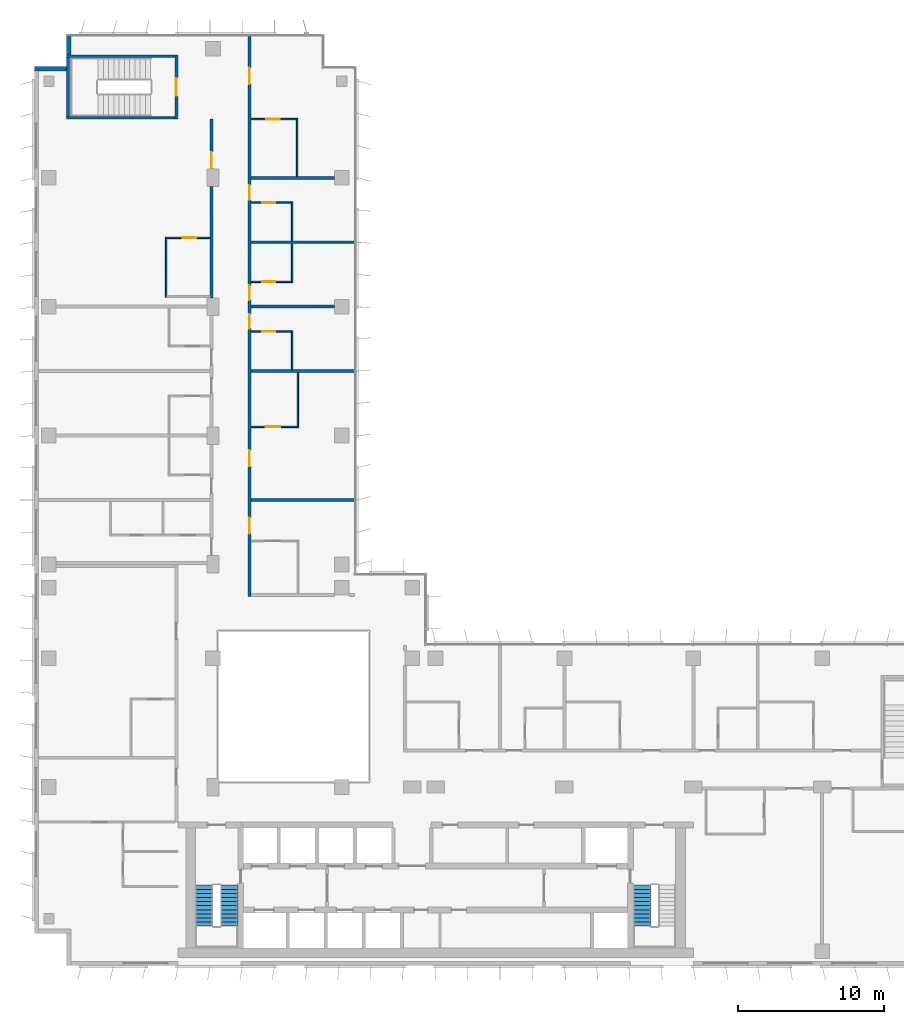
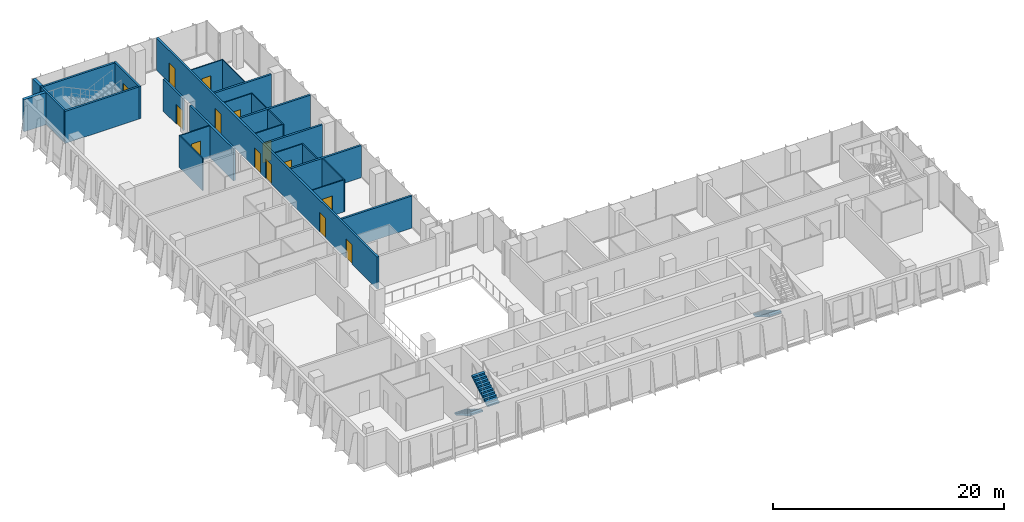
# One storey, part 17 of 21: 26 walls, 14 doors, 3 stair flights, 14 openings, 2 elements without a shape of their own.
"""IFC4 building model written with IfcOpenShell, lengths in metres."""

from ifc_helpers import new_model, si_unit, direction, frame, frame_2d, origin, place, context, subcontext, project, spatial, polyline, rectangle, outline, extrude, material, layer, layer_set, type_object, element, fill, aggregate, save


model = new_model("IFC4")

# Units and contexts
model_context = context("Model", 3, precision=1e-05, world=origin(), true_north=direction((0.0, 1.0)))
body_context = subcontext(model_context, "Body", "Model", "MODEL_VIEW")
ifc_project = project(units=[si_unit("LENGTHUNIT", "METRE"), si_unit("AREAUNIT", "SQUARE_METRE"), si_unit("VOLUMEUNIT", "CUBIC_METRE"), si_unit("PLANEANGLEUNIT", "RADIAN"), si_unit("MASSUNIT", "GRAM", prefix="KILO")], contexts=[model_context])

# Site, building, storey
site_placement = place(None, origin())
site = spatial("IfcSite", under=ifc_project, at=site_placement, CompositionType="ELEMENT")
building_placement = place(site_placement, origin())
building = spatial("IfcBuilding", under=site, at=building_placement, Name="Kemantara Hotel Tower", CompositionType="ELEMENT")
storey_placement = place(building_placement, frame((0.0, 0.0, 164.199951171875)))
storey = spatial("IfcBuildingStorey", under=building, at=storey_placement, Name="L40", CompositionType="ELEMENT", Elevation=164.199951171875)

# Walls
ifc_material_1 = material(Name="Bronze anodised aluminium cladding on insulated steel stud wall", Category="steel")
ifc_layer_1 = layer(ifc_material_1, 0.300048828125)
ifc_layer_set_1 = layer_set([ifc_layer_1], Name="Bronze anodised aluminium cladding on insulated steel stud wall")
wall_type_1 = type_object("IfcWallType", Name="BRONZE METAL-CLAD EXTERNAL WALL 300", PredefinedType="STANDARD", material=ifc_layer_set_1)
wall_1_placement = place(storey_placement, frame((2.35009765625, 63.449951171875, 0.0), z_axis=(0.0, 0.0, 1.0), x_axis=(0.0, -1.0, 0.0)))
element("IfcWall", 1, at=wall_1_placement, inside=storey, type_object=wall_type_1, Name="EXTERNAL WALL L40 T3-R03", PredefinedType="STANDARD", context=body_context, shape_type="SweptSolid", body=[
    extrude(rectangle(XDim=1.25, YDim=0.300048828125, at=frame_2d((0.625, 0.0))), origin(), (0.0, 0.0, 1.0), 3.400146484375),
])
wall_2_placement = place(storey_placement, frame((2.199951171875, 61.25, 0.0), z_axis=(0.0, 0.0, 1.0), x_axis=(-1.0, 0.0, 0.0)))
element("IfcWall", 2, at=wall_2_placement, inside=storey, type_object=wall_type_1, Name="EXTERNAL WALL L40 T3-R04", PredefinedType="STANDARD", context=body_context, shape_type="SweptSolid", body=[
    extrude(rectangle(XDim=2.199951171875, YDim=0.300048828125, at=frame_2d((1.10009765625, 0.0))), origin(), (0.0, 0.0, 1.0), 3.400146484375),
])
ifc_material_2 = material(Name="Gypsum board partition, steel studs and mineral wool, 200 mm", Category="steel")
ifc_layer_2 = layer(ifc_material_2, 0.199951171875)
ifc_layer_set_2 = layer_set([ifc_layer_2], Name="Gypsum board partition, steel studs and mineral wool, 200 mm")
wall_type_2 = type_object("IfcWallType", Name="CORRIDOR WALL 200", PredefinedType="PARTITIONING", material=ifc_layer_set_2)
wall_3_placement = place(storey_placement, frame((12.10009765625, 45.60009765625, 0.0), z_axis=(0.0, 0.0, 1.0), x_axis=(0.0, 1.0, 0.0)))
element("IfcWall", 3, at=wall_3_placement, inside=storey, type_object=wall_type_2, Name="CORRIDOR WALL 200 017", PredefinedType="PARTITIONING", context=body_context, shape_type="SweptSolid", body=[
    extrude(rectangle(XDim=7.599853515625, YDim=0.199951171875, at=frame_2d((3.7998046875, 0.0))), origin(), (0.0, 0.0, 1.0), 3.400146484375),
])

# Wall, opening, door
wall_4_placement = place(storey_placement, frame((12.10009765625, 54.400146484375, 0.0), z_axis=(0.0, 0.0, 1.0), x_axis=(0.0, 1.0, 0.0)))
wall_4 = element("IfcWall", 4, at=wall_4_placement, inside=storey, type_object=wall_type_2, Name="CORRIDOR WALL 200 018", PredefinedType="PARTITIONING", context=body_context, shape_type="SweptSolid", body=[
    extrude(rectangle(XDim=3.39990234375, YDim=0.199951171875, at=frame_2d((1.699951171875, 0.0))), origin(), (0.0, 0.0, 1.0), 3.400146484375),
])
opening_1_placement = place(wall_4_placement, frame((0.0498046875, 0.0, 0.0)))
opening_1 = element("IfcOpeningElement", 5, at=opening_1_placement, cuts=wall_4, Name="Opening F18-030", PredefinedType="OPENING", context=body_context, shape_type="SweptSolid", body=[
    extrude(rectangle(XDim=1.10009765625, YDim=2.10009765625, at=frame_2d((0.550048828125, 1.050048828125))), frame((0.0, 0.10986328125, 0.0), z_axis=(0.0, -1.0, 0.0), x_axis=(1.0, 0.0, 0.0)), (0.0, 0.0, 1.0), 0.219970703125),
])
ifc_material_3 = material(Name="Hardwood veneer door leaf with steel frame", Category="steel")
door_type_1 = type_object("IfcDoorType", Name="SUITE ENTRANCE DOOR 1100 X 2100 FD30S", OperationType="NOTDEFINED", PredefinedType="DOOR", material=ifc_material_3)
door_1_placement = place(opening_1_placement, origin())
door_1 = element("IfcDoor", 6, at=door_1_placement, inside=storey, type_object=door_type_1, Name="SUITE ENTRANCE DOOR F18-030", OperationType="SINGLE_SWING_RIGHT", OverallHeight=2.10009765625, OverallWidth=1.10009765625, PredefinedType="DOOR", context=body_context, shape_type="SweptSolid", body=[
    extrude(rectangle(XDim=1.10009765625, YDim=2.10009765625, at=frame_2d((0.550048828125, 1.050048828125))), frame((0.0, 0.02490234375, 0.0), z_axis=(0.0, -1.0, 0.0), x_axis=(1.0, 0.0, 0.0)), (0.0, 0.0, 1.0), 0.050048828125),
])
fill(opening_1, door_1)

# Wall, openings, doors
wall_5_placement = place(storey_placement, frame((14.699951171875, 63.47998046875, 0.0), z_axis=(0.0, 0.0, 1.0), x_axis=(0.0, -1.0, 0.0)))
wall_5 = element("IfcWall", 7, at=wall_5_placement, inside=storey, type_object=wall_type_2, Name="CORRIDOR WALL 200 027", PredefinedType="PARTITIONING", context=body_context, shape_type="SweptSolid", body=[
    extrude(rectangle(XDim=38.280029296875, YDim=0.199951171875, at=frame_2d((19.14013671875, 0.0))), origin(), (0.0, 0.0, 1.0), 3.400146484375),
])
opening_2_placement = place(wall_5_placement, frame((32.8798828125, 0.0, 0.0)))
opening_2 = element("IfcOpeningElement", 8, at=opening_2_placement, cuts=wall_5, Name="Opening F18-032", PredefinedType="OPENING", context=body_context, shape_type="SweptSolid", body=[
    extrude(rectangle(XDim=1.10009765625, YDim=2.10009765625, at=frame_2d((0.550048828125, 1.050048828125))), frame((0.0, 0.10986328125, 0.0), z_axis=(0.0, -1.0, 0.0), x_axis=(1.0, 0.0, 0.0)), (0.0, 0.0, 1.0), 0.219970703125),
])
opening_3_placement = place(wall_5_placement, frame((28.27978515625, 0.0, 0.0)))
opening_3 = element("IfcOpeningElement", 9, at=opening_3_placement, cuts=wall_5, Name="Opening F18-034", PredefinedType="OPENING", context=body_context, shape_type="SweptSolid", body=[
    extrude(rectangle(XDim=1.10009765625, YDim=2.10009765625, at=frame_2d((0.550048828125, 1.050048828125))), frame((0.0, 0.10986328125, 0.0), z_axis=(0.0, -1.0, 0.0), x_axis=(1.0, 0.0, 0.0)), (0.0, 0.0, 1.0), 0.219970703125),
])
opening_4_placement = place(wall_5_placement, frame((18.97998046875, 0.0, 0.0)))
opening_4 = element("IfcOpeningElement", 10, at=opening_4_placement, cuts=wall_5, Name="Opening F18-036", PredefinedType="OPENING", context=body_context, shape_type="SweptSolid", body=[
    extrude(rectangle(XDim=1.0, YDim=2.10009765625, at=frame_2d((0.5, 1.050048828125))), frame((0.0, 0.10986328125, 0.0), z_axis=(0.0, -1.0, 0.0), x_axis=(1.0, 0.0, 0.0)), (0.0, 0.0, 1.0), 0.219970703125),
])
opening_5_placement = place(wall_5_placement, frame((17.02978515625, 0.0, 0.0)))
opening_5 = element("IfcOpeningElement", 11, at=opening_5_placement, cuts=wall_5, Name="Opening F18-038", PredefinedType="OPENING", context=body_context, shape_type="SweptSolid", body=[
    extrude(rectangle(XDim=1.0, YDim=2.10009765625, at=frame_2d((0.5, 1.050048828125))), frame((0.0, 0.10986328125, 0.0), z_axis=(0.0, -1.0, 0.0), x_axis=(1.0, 0.0, 0.0)), (0.0, 0.0, 1.0), 0.219970703125),
])
opening_6_placement = place(wall_5_placement, frame((10.179931640625, 0.0, 0.0)))
opening_6 = element("IfcOpeningElement", 12, at=opening_6_placement, cuts=wall_5, Name="Opening F18-040", PredefinedType="OPENING", context=body_context, shape_type="SweptSolid", body=[
    extrude(rectangle(XDim=1.0, YDim=2.10009765625, at=frame_2d((0.5, 1.050048828125))), frame((0.0, 0.10986328125, 0.0), z_axis=(0.0, -1.0, 0.0), x_axis=(1.0, 0.0, 0.0)), (0.0, 0.0, 1.0), 0.219970703125),
])
opening_7_placement = place(wall_5_placement, frame((2.179931640625, 0.0, 0.0)))
opening_7 = element("IfcOpeningElement", 13, at=opening_7_placement, cuts=wall_5, Name="Opening F18-042", PredefinedType="OPENING", context=body_context, shape_type="SweptSolid", body=[
    extrude(rectangle(XDim=1.10009765625, YDim=2.10009765625, at=frame_2d((0.550048828125, 1.050048828125))), frame((0.0, 0.10986328125, 0.0), z_axis=(0.0, -1.0, 0.0), x_axis=(1.0, 0.0, 0.0)), (0.0, 0.0, 1.0), 0.219970703125),
])
door_type_2 = type_object("IfcDoorType", Name="GUEST ROOM DOOR 1000 X 2100 FD30S", OperationType="NOTDEFINED", PredefinedType="DOOR", material=ifc_material_3)
door_2_placement = place(opening_4_placement, origin())
door_2 = element("IfcDoor", 14, at=door_2_placement, inside=storey, type_object=door_type_2, Name="GUEST ROOM DOOR F18-036", OperationType="SINGLE_SWING_LEFT", OverallHeight=2.10009765625, OverallWidth=1.0, PredefinedType="DOOR", context=body_context, shape_type="SweptSolid", body=[
    extrude(rectangle(XDim=1.0, YDim=2.10009765625, at=frame_2d((0.5, 1.050048828125))), frame((0.0, 0.02490234375, 0.0), z_axis=(0.0, -1.0, 0.0), x_axis=(1.0, 0.0, 0.0)), (0.0, 0.0, 1.0), 0.050048828125),
])
fill(opening_4, door_2)
door_3_placement = place(opening_5_placement, origin())
door_3 = element("IfcDoor", 15, at=door_3_placement, inside=storey, type_object=door_type_2, Name="GUEST ROOM DOOR F18-038", OperationType="SINGLE_SWING_RIGHT", OverallHeight=2.10009765625, OverallWidth=1.0, PredefinedType="DOOR", context=body_context, shape_type="SweptSolid", body=[
    extrude(rectangle(XDim=1.0, YDim=2.10009765625, at=frame_2d((0.5, 1.050048828125))), frame((0.0, 0.02490234375, 0.0), z_axis=(0.0, -1.0, 0.0), x_axis=(1.0, 0.0, 0.0)), (0.0, 0.0, 1.0), 0.050048828125),
])
fill(opening_5, door_3)
door_4_placement = place(opening_6_placement, origin())
door_4 = element("IfcDoor", 16, at=door_4_placement, inside=storey, type_object=door_type_2, Name="GUEST ROOM DOOR F18-040", OperationType="SINGLE_SWING_LEFT", OverallHeight=2.10009765625, OverallWidth=1.0, PredefinedType="DOOR", context=body_context, shape_type="SweptSolid", body=[
    extrude(rectangle(XDim=1.0, YDim=2.10009765625, at=frame_2d((0.5, 1.050048828125))), frame((0.0, 0.02490234375, 0.0), z_axis=(0.0, -1.0, 0.0), x_axis=(1.0, 0.0, 0.0)), (0.0, 0.0, 1.0), 0.050048828125),
])
fill(opening_6, door_4)
door_type_3 = type_object("IfcDoorType", Name="GUEST ROOM DOOR 1100 X 2100 FD30S", OperationType="NOTDEFINED", PredefinedType="DOOR", material=ifc_material_3)
door_5_placement = place(opening_2_placement, origin())
door_5 = element("IfcDoor", 17, at=door_5_placement, inside=storey, type_object=door_type_3, Name="GUEST ROOM DOOR F18-032", OperationType="SINGLE_SWING_LEFT", OverallHeight=2.10009765625, OverallWidth=1.10009765625, PredefinedType="DOOR", context=body_context, shape_type="SweptSolid", body=[
    extrude(rectangle(XDim=1.10009765625, YDim=2.10009765625, at=frame_2d((0.550048828125, 1.050048828125))), frame((0.0, 0.02490234375, 0.0), z_axis=(0.0, -1.0, 0.0), x_axis=(1.0, 0.0, 0.0)), (0.0, 0.0, 1.0), 0.050048828125),
])
fill(opening_2, door_5)
door_6_placement = place(opening_3_placement, origin())
door_6 = element("IfcDoor", 18, at=door_6_placement, inside=storey, type_object=door_type_3, Name="GUEST ROOM DOOR F18-034", OperationType="SINGLE_SWING_RIGHT", OverallHeight=2.10009765625, OverallWidth=1.10009765625, PredefinedType="DOOR", context=body_context, shape_type="SweptSolid", body=[
    extrude(rectangle(XDim=1.10009765625, YDim=2.10009765625, at=frame_2d((0.550048828125, 1.050048828125))), frame((0.0, 0.02490234375, 0.0), z_axis=(0.0, -1.0, 0.0), x_axis=(1.0, 0.0, 0.0)), (0.0, 0.0, 1.0), 0.050048828125),
])
fill(opening_3, door_6)
door_7_placement = place(opening_7_placement, origin())
door_7 = element("IfcDoor", 19, at=door_7_placement, inside=storey, type_object=door_type_1, Name="SUITE ENTRANCE DOOR F18-042", OperationType="SINGLE_SWING_LEFT", OverallHeight=2.10009765625, OverallWidth=1.10009765625, PredefinedType="DOOR", context=body_context, shape_type="SweptSolid", body=[
    extrude(rectangle(XDim=1.10009765625, YDim=2.10009765625, at=frame_2d((0.550048828125, 1.050048828125))), frame((0.0, 0.02490234375, 0.0), z_axis=(0.0, -1.0, 0.0), x_axis=(1.0, 0.0, 0.0)), (0.0, 0.0, 1.0), 0.050048828125),
])
fill(opening_7, door_7)

# Wall, opening, door
ifc_material_4 = material(Name="Concrete fc 40 MPa", Category="concrete")
ifc_layer_3 = layer(ifc_material_4, 0.199951171875)
ifc_layer_set_3 = layer_set([ifc_layer_3], Name="Concrete fc 40 MPa")
wall_type_3 = type_object("IfcWallType", Name="Concrete stair wall 200 mm", PredefinedType="SHEAR", material=ifc_layer_set_3)
wall_6_placement = place(storey_placement, frame((9.699951171875, 57.800048828125, 0.0), z_axis=(0.0, 0.0, 1.0), x_axis=(0.0, 1.0, 0.0)))
wall_6 = element("IfcWall", 20, at=wall_6_placement, inside=storey, type_object=wall_type_3, Name="Stair ST4 enclosure wall with door", PredefinedType="SHEAR", context=body_context, shape_type="SweptSolid", body=[
    extrude(rectangle(XDim=4.39990234375, YDim=0.199951171875, at=frame_2d((2.199951171875, 0.0))), origin(), (0.0, 0.0, 1.0), 3.400146484375),
])
opening_8_placement = place(wall_6_placement, frame((1.60009765625, 0.0, 0.0)))
opening_8 = element("IfcOpeningElement", 21, at=opening_8_placement, cuts=wall_6, Name="Opening ST4-C", PredefinedType="OPENING", context=body_context, shape_type="SweptSolid", body=[
    extrude(rectangle(XDim=1.199951171875, YDim=2.10009765625, at=frame_2d((0.60009765625, 1.050048828125))), frame((0.0, 0.10986328125, 0.0), z_axis=(0.0, -1.0, 0.0), x_axis=(1.0, 0.0, 0.0)), (0.0, 0.0, 1.0), 0.219970703125),
])
ifc_material_5 = material(Name="Steel fire door", Category="steel")
door_type_4 = type_object("IfcDoorType", Name="Fire door FD90 1200 x 2100", OperationType="NOTDEFINED", PredefinedType="DOOR", material=ifc_material_5)
door_8_placement = place(opening_8_placement, origin())
door_8 = element("IfcDoor", 22, at=door_8_placement, inside=storey, type_object=door_type_4, Name="Stair ST4 door", OperationType="SINGLE_SWING_RIGHT", OverallHeight=2.10009765625, OverallWidth=1.199951171875, PredefinedType="DOOR", context=body_context, shape_type="SweptSolid", body=[
    extrude(rectangle(XDim=1.199951171875, YDim=2.10009765625, at=frame_2d((0.60009765625, 1.050048828125))), frame((0.0, 0.02490234375, 0.0), z_axis=(0.0, -1.0, 0.0), x_axis=(1.0, 0.0, 0.0)), (0.0, 0.0, 1.0), 0.050048828125),
])
fill(opening_8, door_8)

# Walls
for number, where, z_axis, x_axis, name in (
    (23, (2.199951171875, 62.10009765625, 0.0), (0.0, 0.0, 1.0), (1.0, 0.0, 0.0), "Stair ST4 enclosure wall N"),
    (24, (2.199951171875, 57.89990234375, 0.0), (0.0, 0.0, 1.0), (1.0, 0.0, 0.0), "Stair ST4 enclosure wall S"),
):
    element("IfcWall", number, at=place(storey_placement, frame(where, z_axis=z_axis, x_axis=x_axis)), inside=storey, type_object=wall_type_3, Name=name, PredefinedType="SHEAR", context=body_context, shape_type="SweptSolid", body=[
        extrude(rectangle(XDim=7.400146484375, YDim=0.199951171875, at=frame_2d((3.7001953125, 0.0))), origin(), (0.0, 0.0, 1.0), 3.400146484375),
    ])
wall_7_placement = place(storey_placement, frame((2.300048828125, 58.0, 0.0), z_axis=(0.0, 0.0, 1.0), x_axis=(0.0, 1.0, 0.0)))
element("IfcWall", 25, at=wall_7_placement, inside=storey, type_object=wall_type_3, Name="Stair ST4 enclosure wall W", PredefinedType="SHEAR", context=body_context, shape_type="SweptSolid", body=[
    extrude(rectangle(XDim=4.0, YDim=0.199951171875, at=frame_2d((2.0, 0.0))), origin(), (0.0, 0.0, 1.0), 3.400146484375),
])
ifc_layer_4 = layer(ifc_material_2, 0.199951171875)
ifc_layer_set_4 = layer_set([ifc_layer_4], Name="Gypsum board partition, steel studs and mineral wool, 200 mm")
wall_type_4 = type_object("IfcWallType", Name="GUEST ROOM PARTY WALL 200", PredefinedType="PARTITIONING", material=ifc_layer_set_4)
for number, where, z_axis, x_axis, name in (
    (26, (14.800048828125, 31.800048828125, 0.0), (0.0, 0.0, 1.0), (1.0, 0.0, 0.0), "GUEST ROOM PARTY WALL 200 021"),
    (27, (14.800048828125, 40.60009765625, 0.0), (0.0, 0.0, 1.0), (1.0, 0.0, 0.0), "GUEST ROOM PARTY WALL 200 024"),
):
    element("IfcWall", number, at=place(storey_placement, frame(where, z_axis=z_axis, x_axis=x_axis)), inside=storey, type_object=wall_type_4, Name=name, PredefinedType="PARTITIONING", context=body_context, shape_type="SweptSolid", body=[
        extrude(rectangle(XDim=7.070068359375, YDim=0.199951171875, at=frame_2d((3.53515625, 0.0))), origin(), (0.0, 0.0, 1.0), 3.400146484375),
    ])
wall_8_placement = place(storey_placement, frame((14.800048828125, 45.0, 0.0), z_axis=(0.0, 0.0, 1.0), x_axis=(1.0, 0.0, 0.0)))
element("IfcWall", 28, at=wall_8_placement, inside=storey, type_object=wall_type_4, Name="GUEST ROOM PARTY WALL 200 026", PredefinedType="PARTITIONING", context=body_context, shape_type="SweptSolid", body=[
    extrude(rectangle(XDim=5.699951171875, YDim=0.199951171875, at=frame_2d((2.85009765625, 0.0))), origin(), (0.0, 0.0, 1.0), 3.400146484375),
])
wall_9_placement = place(storey_placement, frame((14.800048828125, 49.39990234375, 0.0), z_axis=(0.0, 0.0, 1.0), x_axis=(1.0, 0.0, 0.0)))
element("IfcWall", 29, at=wall_9_placement, inside=storey, type_object=wall_type_4, Name="GUEST ROOM PARTY WALL 200 030", PredefinedType="PARTITIONING", context=body_context, shape_type="SweptSolid", body=[
    extrude(rectangle(XDim=7.070068359375, YDim=0.199951171875, at=frame_2d((3.53515625, 0.0))), origin(), (0.0, 0.0, 1.0), 3.400146484375),
])
wall_10_placement = place(storey_placement, frame((14.800048828125, 53.800048828125, 0.0), z_axis=(0.0, 0.0, 1.0), x_axis=(1.0, 0.0, 0.0)))
element("IfcWall", 30, at=wall_10_placement, inside=storey, type_object=wall_type_4, Name="GUEST ROOM PARTY WALL 200 031", PredefinedType="PARTITIONING", context=body_context, shape_type="SweptSolid", body=[
    extrude(rectangle(XDim=5.699951171875, YDim=0.199951171875, at=frame_2d((2.85009765625, 0.0))), origin(), (0.0, 0.0, 1.0), 3.400146484375),
])
ifc_material_6 = material(Name="Gypsum board partition on steel studs, 100 mm", Category="steel")
ifc_layer_5 = layer(ifc_material_6, 0.10009765625)
ifc_layer_set_5 = layer_set([ifc_layer_5], Name="Gypsum board partition on steel studs, 100 mm")
wall_type_5 = type_object("IfcWallType", Name="ROOM PARTITION 100", PredefinedType="PARTITIONING", material=ifc_layer_set_5)
wall_11_placement = place(storey_placement, frame((9.0, 45.64990234375, 0.0), z_axis=(0.0, 0.0, 1.0), x_axis=(0.0, 1.0, 0.0)))
element("IfcWall", 31, at=wall_11_placement, inside=storey, type_object=wall_type_5, Name="ROOM PARTITION 100 063", PredefinedType="PARTITIONING", context=body_context, shape_type="SweptSolid", body=[
    extrude(rectangle(XDim=4.10009765625, YDim=0.10009765625, at=frame_2d((2.050048828125, 0.0))), origin(), (0.0, 0.0, 1.0), 3.400146484375),
])

# Wall, opening, door
wall_12_placement = place(storey_placement, frame((12.0, 49.699951171875, 0.0), z_axis=(0.0, 0.0, 1.0), x_axis=(-1.0, 0.0, 0.0)))
wall_12 = element("IfcWall", 32, at=wall_12_placement, inside=storey, type_object=wall_type_5, Name="ROOM PARTITION 100 065", PredefinedType="PARTITIONING", context=body_context, shape_type="SweptSolid", body=[
    extrude(rectangle(XDim=2.949951171875, YDim=0.10009765625, at=frame_2d((1.47509765625, 0.0))), origin(), (0.0, 0.0, 1.0), 3.400146484375),
])
opening_9_placement = place(wall_12_placement, frame((0.949951171875, 0.0, 0.0)))
opening_9 = element("IfcOpeningElement", 33, at=opening_9_placement, cuts=wall_12, Name="Opening F18-031", PredefinedType="OPENING", context=body_context, shape_type="SweptSolid", body=[
    extrude(rectangle(XDim=0.89990234375, YDim=2.10009765625, at=frame_2d((0.449951171875, 1.050048828125))), frame((0.0, 0.06005859375, 0.0), z_axis=(0.0, -1.0, 0.0), x_axis=(1.0, 0.0, 0.0)), (0.0, 0.0, 1.0), 0.1201171875),
])
door_type_5 = type_object("IfcDoorType", Name="BATHROOM DOOR 900 X 2100", OperationType="NOTDEFINED", PredefinedType="DOOR", material=ifc_material_3)
door_9_placement = place(opening_9_placement, origin())
door_9 = element("IfcDoor", 34, at=door_9_placement, inside=storey, type_object=door_type_5, Name="BATHROOM DOOR F18-031", OperationType="SINGLE_SWING_LEFT", OverallHeight=2.10009765625, OverallWidth=0.89990234375, PredefinedType="DOOR", context=body_context, shape_type="SweptSolid", body=[
    extrude(rectangle(XDim=0.89990234375, YDim=2.10009765625, at=frame_2d((0.449951171875, 1.050048828125))), frame((0.0, 0.02490234375, 0.0), z_axis=(0.0, -1.0, 0.0), x_axis=(1.0, 0.0, 0.0)), (0.0, 0.0, 1.0), 0.050048828125),
])
fill(opening_9, door_9)

# Wall
wall_13_placement = place(storey_placement, frame((18.0, 36.75, 0.0), z_axis=(0.0, 0.0, 1.0), x_axis=(0.0, 1.0, 0.0)))
element("IfcWall", 35, at=wall_13_placement, inside=storey, type_object=wall_type_5, Name="ROOM PARTITION 100 067", PredefinedType="PARTITIONING", context=body_context, shape_type="SweptSolid", body=[
    extrude(rectangle(XDim=3.75, YDim=0.10009765625, at=frame_2d((1.875, 0.0))), origin(), (0.0, 0.0, 1.0), 3.400146484375),
])

# Wall, opening, door
wall_14_placement = place(storey_placement, frame((14.800048828125, 36.800048828125, 0.0), z_axis=(0.0, 0.0, 1.0), x_axis=(1.0, 0.0, 0.0)))
wall_14 = element("IfcWall", 36, at=wall_14_placement, inside=storey, type_object=wall_type_5, Name="ROOM PARTITION 100 069", PredefinedType="PARTITIONING", context=body_context, shape_type="SweptSolid", body=[
    extrude(rectangle(XDim=3.14990234375, YDim=0.10009765625, at=frame_2d((1.574951171875, 0.0))), origin(), (0.0, 0.0, 1.0), 3.400146484375),
])
opening_10_placement = place(wall_14_placement, frame((1.0, 0.0, 0.0)))
opening_10 = element("IfcOpeningElement", 37, at=opening_10_placement, cuts=wall_14, Name="Opening F18-035", PredefinedType="OPENING", context=body_context, shape_type="SweptSolid", body=[
    extrude(rectangle(XDim=1.0, YDim=2.10009765625, at=frame_2d((0.5, 1.050048828125))), frame((0.0, 0.06005859375, 0.0), z_axis=(0.0, -1.0, 0.0), x_axis=(1.0, 0.0, 0.0)), (0.0, 0.0, 1.0), 0.1201171875),
])
door_type_6 = type_object("IfcDoorType", Name="BATHROOM DOOR 1000 X 2100", OperationType="NOTDEFINED", PredefinedType="DOOR", material=ifc_material_3)
door_10_placement = place(opening_10_placement, origin())
door_10 = element("IfcDoor", 38, at=door_10_placement, inside=storey, type_object=door_type_6, Name="BATHROOM DOOR F18-035", OperationType="SINGLE_SWING_LEFT", OverallHeight=2.10009765625, OverallWidth=1.0, PredefinedType="DOOR", context=body_context, shape_type="SweptSolid", body=[
    extrude(rectangle(XDim=1.0, YDim=2.10009765625, at=frame_2d((0.5, 1.050048828125))), frame((0.0, 0.02490234375, 0.0), z_axis=(0.0, -1.0, 0.0), x_axis=(1.0, 0.0, 0.0)), (0.0, 0.0, 1.0), 0.050048828125),
])
fill(opening_10, door_10)

# Walls
for number, where, z_axis, x_axis, name in (
    (39, (17.60009765625, 40.699951171875, 0.0), (0.0, 0.0, 1.0), (0.0, 1.0, 0.0), "ROOM PARTITION 100 070"),
    (40, (17.60009765625, 46.64990234375, 0.0), (0.0, 0.0, 1.0), (0.0, 1.0, 0.0), "ROOM PARTITION 100 071"),
):
    element("IfcWall", number, at=place(storey_placement, frame(where, z_axis=z_axis, x_axis=x_axis)), inside=storey, type_object=wall_type_5, Name=name, PredefinedType="PARTITIONING", context=body_context, shape_type="SweptSolid", body=[
        extrude(rectangle(XDim=2.650146484375, YDim=0.10009765625, at=frame_2d((1.3251953125, 0.0))), origin(), (0.0, 0.0, 1.0), 3.400146484375),
    ])
wall_15_placement = place(storey_placement, frame((17.60009765625, 49.5, 0.0), z_axis=(0.0, 0.0, 1.0), x_axis=(0.0, 1.0, 0.0)))
element("IfcWall", 41, at=wall_15_placement, inside=storey, type_object=wall_type_5, Name="ROOM PARTITION 100 072", PredefinedType="PARTITIONING", context=body_context, shape_type="SweptSolid", body=[
    extrude(rectangle(XDim=2.64990234375, YDim=0.10009765625, at=frame_2d((1.324951171875, 0.0))), origin(), (0.0, 0.0, 1.0), 3.400146484375),
])

# Wall, opening, door
wall_16_placement = place(storey_placement, frame((17.550048828125, 43.300048828125, 0.0), z_axis=(0.0, 0.0, 1.0), x_axis=(-1.0, 0.0, 0.0)))
wall_16 = element("IfcWall", 42, at=wall_16_placement, inside=storey, type_object=wall_type_5, Name="ROOM PARTITION 100 073", PredefinedType="PARTITIONING", context=body_context, shape_type="SweptSolid", body=[
    extrude(rectangle(XDim=2.75, YDim=0.10009765625, at=frame_2d((1.375, 0.0))), origin(), (0.0, 0.0, 1.0), 3.400146484375),
])
opening_11_placement = place(wall_16_placement, frame((1.10009765625, 0.0, 0.0)))
opening_11 = element("IfcOpeningElement", 43, at=opening_11_placement, cuts=wall_16, Name="Opening F18-037", PredefinedType="OPENING", context=body_context, shape_type="SweptSolid", body=[
    extrude(rectangle(XDim=0.89990234375, YDim=2.10009765625, at=frame_2d((0.449951171875, 1.050048828125))), frame((0.0, 0.06005859375, 0.0), z_axis=(0.0, -1.0, 0.0), x_axis=(1.0, 0.0, 0.0)), (0.0, 0.0, 1.0), 0.1201171875),
])
door_11_placement = place(opening_11_placement, origin())
door_11 = element("IfcDoor", 44, at=door_11_placement, inside=storey, type_object=door_type_5, Name="BATHROOM DOOR F18-037", OperationType="SINGLE_SWING_RIGHT", OverallHeight=2.10009765625, OverallWidth=0.89990234375, PredefinedType="DOOR", context=body_context, shape_type="SweptSolid", body=[
    extrude(rectangle(XDim=0.89990234375, YDim=2.10009765625, at=frame_2d((0.449951171875, 1.050048828125))), frame((0.0, 0.02490234375, 0.0), z_axis=(0.0, -1.0, 0.0), x_axis=(1.0, 0.0, 0.0)), (0.0, 0.0, 1.0), 0.050048828125),
])
fill(opening_11, door_11)

wall_17_placement = place(storey_placement, frame((14.800048828125, 46.699951171875, 0.0), z_axis=(0.0, 0.0, 1.0), x_axis=(1.0, 0.0, 0.0)))
wall_17 = element("IfcWall", 45, at=wall_17_placement, inside=storey, type_object=wall_type_5, Name="ROOM PARTITION 100 074", PredefinedType="PARTITIONING", context=body_context, shape_type="SweptSolid", body=[
    extrude(rectangle(XDim=2.75, YDim=0.10009765625, at=frame_2d((1.375, 0.0))), origin(), (0.0, 0.0, 1.0), 3.400146484375),
])
opening_12_placement = place(wall_17_placement, frame((0.75, 0.0, 0.0)))
opening_12 = element("IfcOpeningElement", 46, at=opening_12_placement, cuts=wall_17, Name="Opening F18-039", PredefinedType="OPENING", context=body_context, shape_type="SweptSolid", body=[
    extrude(rectangle(XDim=0.89990234375, YDim=2.10009765625, at=frame_2d((0.449951171875, 1.050048828125))), frame((0.0, 0.06005859375, 0.0), z_axis=(0.0, -1.0, 0.0), x_axis=(1.0, 0.0, 0.0)), (0.0, 0.0, 1.0), 0.1201171875),
])
door_12_placement = place(opening_12_placement, origin())
door_12 = element("IfcDoor", 47, at=door_12_placement, inside=storey, type_object=door_type_5, Name="BATHROOM DOOR F18-039", OperationType="SINGLE_SWING_LEFT", OverallHeight=2.10009765625, OverallWidth=0.89990234375, PredefinedType="DOOR", context=body_context, shape_type="SweptSolid", body=[
    extrude(rectangle(XDim=0.89990234375, YDim=2.10009765625, at=frame_2d((0.449951171875, 1.050048828125))), frame((0.0, 0.02490234375, 0.0), z_axis=(0.0, -1.0, 0.0), x_axis=(1.0, 0.0, 0.0)), (0.0, 0.0, 1.0), 0.050048828125),
])
fill(opening_12, door_12)

wall_18_placement = place(storey_placement, frame((17.550048828125, 52.10009765625, 0.0), z_axis=(0.0, 0.0, 1.0), x_axis=(-1.0, 0.0, 0.0)))
wall_18 = element("IfcWall", 48, at=wall_18_placement, inside=storey, type_object=wall_type_5, Name="ROOM PARTITION 100 075", PredefinedType="PARTITIONING", context=body_context, shape_type="SweptSolid", body=[
    extrude(rectangle(XDim=2.75, YDim=0.10009765625, at=frame_2d((1.375, 0.0))), origin(), (0.0, 0.0, 1.0), 3.400146484375),
])
opening_13_placement = place(wall_18_placement, frame((1.10009765625, 0.0, 0.0)))
opening_13 = element("IfcOpeningElement", 49, at=opening_13_placement, cuts=wall_18, Name="Opening F18-041", PredefinedType="OPENING", context=body_context, shape_type="SweptSolid", body=[
    extrude(rectangle(XDim=0.89990234375, YDim=2.10009765625, at=frame_2d((0.449951171875, 1.050048828125))), frame((0.0, 0.06005859375, 0.0), z_axis=(0.0, -1.0, 0.0), x_axis=(1.0, 0.0, 0.0)), (0.0, 0.0, 1.0), 0.1201171875),
])
door_13_placement = place(opening_13_placement, origin())
door_13 = element("IfcDoor", 50, at=door_13_placement, inside=storey, type_object=door_type_5, Name="BATHROOM DOOR F18-041", OperationType="SINGLE_SWING_RIGHT", OverallHeight=2.10009765625, OverallWidth=0.89990234375, PredefinedType="DOOR", context=body_context, shape_type="SweptSolid", body=[
    extrude(rectangle(XDim=0.89990234375, YDim=2.10009765625, at=frame_2d((0.449951171875, 1.050048828125))), frame((0.0, 0.02490234375, 0.0), z_axis=(0.0, -1.0, 0.0), x_axis=(1.0, 0.0, 0.0)), (0.0, 0.0, 1.0), 0.050048828125),
])
fill(opening_13, door_13)

# Wall
wall_19_placement = place(storey_placement, frame((17.949951171875, 53.89990234375, 0.0), z_axis=(0.0, 0.0, 1.0), x_axis=(0.0, 1.0, 0.0)))
element("IfcWall", 51, at=wall_19_placement, inside=storey, type_object=wall_type_5, Name="ROOM PARTITION 100 076", PredefinedType="PARTITIONING", context=body_context, shape_type="SweptSolid", body=[
    extrude(rectangle(XDim=3.9501953125, YDim=0.10009765625, at=frame_2d((1.97509765625, 0.0))), origin(), (0.0, 0.0, 1.0), 3.400146484375),
])

# Wall, opening, door
wall_20_placement = place(storey_placement, frame((17.89990234375, 57.800048828125, 0.0), z_axis=(0.0, 0.0, 1.0), x_axis=(-1.0, 0.0, 0.0)))
wall_20 = element("IfcWall", 52, at=wall_20_placement, inside=storey, type_object=wall_type_5, Name="ROOM PARTITION 100 077", PredefinedType="PARTITIONING", context=body_context, shape_type="SweptSolid", body=[
    extrude(rectangle(XDim=3.099853515625, YDim=0.10009765625, at=frame_2d((1.5498046875, 0.0))), origin(), (0.0, 0.0, 1.0), 3.400146484375),
])
opening_14_placement = place(wall_20_placement, frame((1.14990234375, 0.0, 0.0)))
opening_14 = element("IfcOpeningElement", 53, at=opening_14_placement, cuts=wall_20, Name="Opening F18-043", PredefinedType="OPENING", context=body_context, shape_type="SweptSolid", body=[
    extrude(rectangle(XDim=0.89990234375, YDim=2.10009765625, at=frame_2d((0.449951171875, 1.050048828125))), frame((0.0, 0.06005859375, 0.0), z_axis=(0.0, -1.0, 0.0), x_axis=(1.0, 0.0, 0.0)), (0.0, 0.0, 1.0), 0.1201171875),
])
door_14_placement = place(opening_14_placement, origin())
door_14 = element("IfcDoor", 54, at=door_14_placement, inside=storey, type_object=door_type_5, Name="BATHROOM DOOR F18-043", OperationType="SINGLE_SWING_RIGHT", OverallHeight=2.10009765625, OverallWidth=0.89990234375, PredefinedType="DOOR", context=body_context, shape_type="SweptSolid", body=[
    extrude(rectangle(XDim=0.89990234375, YDim=2.10009765625, at=frame_2d((0.449951171875, 1.050048828125))), frame((0.0, 0.02490234375, 0.0), z_axis=(0.0, -1.0, 0.0), x_axis=(1.0, 0.0, 0.0)), (0.0, 0.0, 1.0), 0.050048828125),
])
fill(opening_14, door_14)

# Stair, stair flights
stair_type = type_object("IfcStairType", Name="Stair 1200 wide 22 risers of 168 x 280 mm", PredefinedType="HALF_TURN_STAIR", material=ifc_material_4)
stair_1_placement = place(storey_placement, origin())
stair_1 = element("IfcStair", 55, at=stair_1_placement, inside=storey, type_object=stair_type, Name="L40 Exit stair ST1", PredefinedType="HALF_TURN_STAIR")
stair_flight_type = type_object("IfcStairFlightType", Name="Stair flight 1200 wide 168 x 280 mm", PredefinedType="STRAIGHT", material=ifc_material_4)
stair_flight_1_placement = place(storey_placement, frame((11.60009765625, 5.5, 0.0), z_axis=(0.0, 0.0, 1.0), x_axis=(0.0, -1.0, 0.0)))
stair_flight_1 = element("IfcStairFlight", 56, at=stair_flight_1_placement, type_object=stair_flight_type, Name="ST1 flight 1", NumberOfRisers=11, NumberOfTreads=10, PredefinedType="STRAIGHT", RiserHeight=0.168181818, TreadLength=0.28, context=body_context, shape_type="SweptSolid", body=[
    extrude(outline(polyline([(0.0, 0.0), (0.0, 0.168212890625), (0.280029296875, 0.168212890625), (0.280029296875, 0.33642578125), (0.56005859375, 0.33642578125), (0.56005859375, 0.504638671875), (0.840087890625, 0.504638671875), (0.840087890625, 0.672607421875), (1.1201171875, 0.672607421875), (1.1201171875, 0.8408203125), (1.39990234375, 0.8408203125), (1.39990234375, 1.009033203125), (1.679931640625, 1.009033203125), (1.679931640625, 1.17724609375), (1.9599609375, 1.17724609375), (1.9599609375, 1.345458984375), (2.239990234375, 1.345458984375), (2.239990234375, 1.513671875), (2.52001953125, 1.513671875), (2.52001953125, 1.681884765625), (2.800048828125, 1.681884765625), (2.800048828125, 1.85009765625), (2.800048828125, 1.5068359375), (0.291015625, 0.0), (0.0, 0.0)])), frame((0.0, 0.60009765625, 0.0), z_axis=(0.0, -1.0, 0.0), x_axis=(1.0, 0.0, 0.0)), (0.0, 0.0, 1.0), 1.199951171875),
])
stair_flight_2_placement = place(storey_placement, frame((13.300048828125, 2.699951171875, 1.85009765625), z_axis=(0.0, 0.0, 1.0), x_axis=(0.0, 1.0, 0.0)))
stair_flight_2 = element("IfcStairFlight", 57, at=stair_flight_2_placement, type_object=stair_flight_type, Name="ST1 flight 2", NumberOfRisers=11, NumberOfTreads=10, PredefinedType="STRAIGHT", RiserHeight=0.168181818, TreadLength=0.28, context=body_context, shape_type="SweptSolid", body=[
    extrude(outline(polyline([(0.0, 0.0), (0.0, 0.168212890625), (0.280029296875, 0.168212890625), (0.280029296875, 0.33642578125), (0.56005859375, 0.33642578125), (0.56005859375, 0.504638671875), (0.840087890625, 0.504638671875), (0.840087890625, 0.672607421875), (1.1201171875, 0.672607421875), (1.1201171875, 0.8408203125), (1.39990234375, 0.8408203125), (1.39990234375, 1.009033203125), (1.679931640625, 1.009033203125), (1.679931640625, 1.17724609375), (1.9599609375, 1.17724609375), (1.9599609375, 1.345458984375), (2.239990234375, 1.345458984375), (2.239990234375, 1.513671875), (2.52001953125, 1.513671875), (2.52001953125, 1.681884765625), (2.800048828125, 1.681884765625), (2.800048828125, 1.85009765625), (2.800048828125, 1.5068359375), (0.291015625, 0.0), (0.0, 0.0)])), frame((0.0, 0.60009765625, 0.0), z_axis=(0.0, -1.0, 0.0), x_axis=(1.0, 0.0, 0.0)), (0.0, 0.0, 1.0), 1.199951171875),
])
aggregate(stair_1, [stair_flight_1, stair_flight_2])

# Stair, stair flight
stair_2_placement = place(storey_placement, origin())
stair_2 = element("IfcStair", 58, at=stair_2_placement, inside=storey, type_object=stair_type, Name="L40 Exit stair ST2", PredefinedType="HALF_TURN_STAIR")
stair_flight_3_placement = place(storey_placement, frame((41.5, 5.5, 0.0), z_axis=(0.0, 0.0, 1.0), x_axis=(0.0, -1.0, 0.0)))
stair_flight_3 = element("IfcStairFlight", 59, at=stair_flight_3_placement, type_object=stair_flight_type, Name="ST2 flight 1", NumberOfRisers=11, NumberOfTreads=10, PredefinedType="STRAIGHT", RiserHeight=0.168181818, TreadLength=0.28, context=body_context, shape_type="SweptSolid", body=[
    extrude(outline(polyline([(0.0, 0.0), (0.0, 0.168212890625), (0.280029296875, 0.168212890625), (0.280029296875, 0.33642578125), (0.56005859375, 0.33642578125), (0.56005859375, 0.504638671875), (0.840087890625, 0.504638671875), (0.840087890625, 0.672607421875), (1.1201171875, 0.672607421875), (1.1201171875, 0.8408203125), (1.39990234375, 0.8408203125), (1.39990234375, 1.009033203125), (1.679931640625, 1.009033203125), (1.679931640625, 1.17724609375), (1.9599609375, 1.17724609375), (1.9599609375, 1.345458984375), (2.239990234375, 1.345458984375), (2.239990234375, 1.513671875), (2.52001953125, 1.513671875), (2.52001953125, 1.681884765625), (2.800048828125, 1.681884765625), (2.800048828125, 1.85009765625), (2.800048828125, 1.5068359375), (0.291015625, 0.0), (0.0, 0.0)])), frame((0.0, 0.60009765625, 0.0), z_axis=(0.0, -1.0, 0.0), x_axis=(1.0, 0.0, 0.0)), (0.0, 0.0, 1.0), 1.199951171875),
])
aggregate(stair_2, [stair_flight_3])

save(model, "model.ifc")
